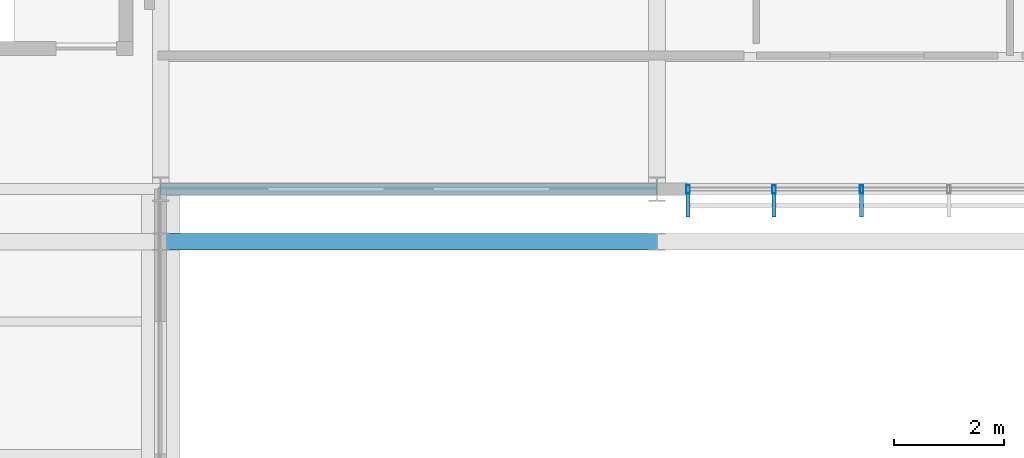
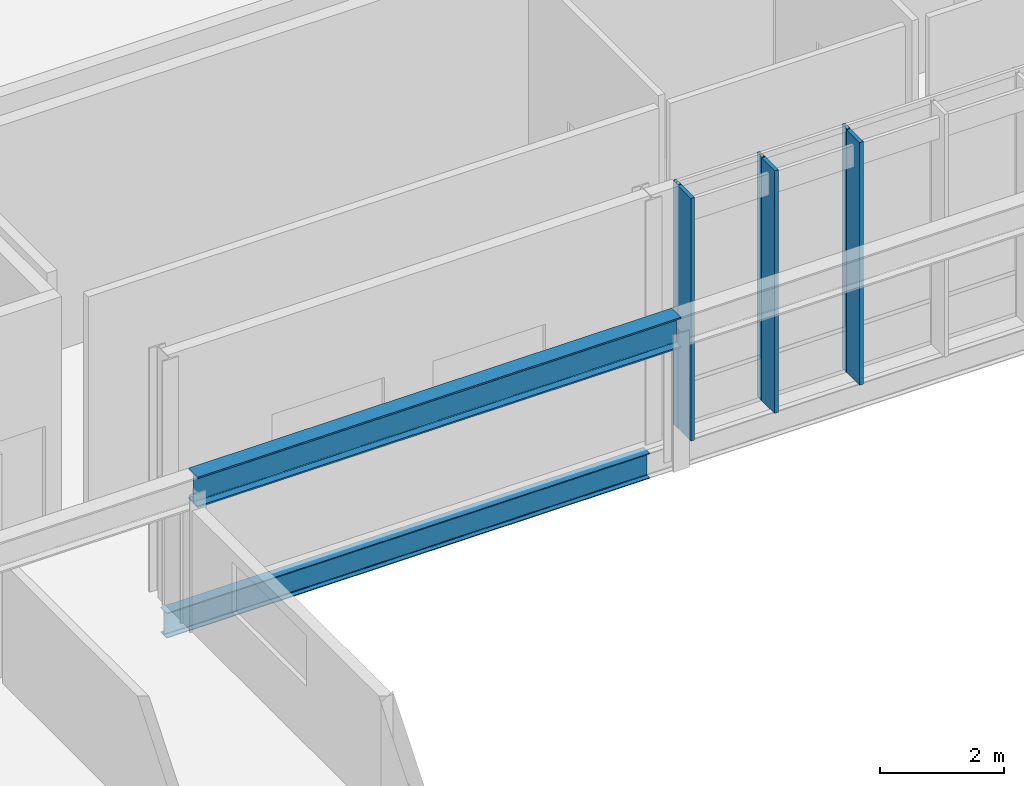
# One storey, part 104 of 177: 6 members, 2 beams, 1 element without a shape of its own.
"""IFC4 building model written with IfcOpenShell, lengths in metres."""

from ifc_helpers import new_model, si_unit, direction, frame, origin, origin_2d, place, context, subcontext, project, spatial, rectangle, hollow_rectangle, i_section, extrude, material, material_profile, profile_set, type_object, element, aggregate, save


model = new_model("IFC4")

# Units and contexts
model_context = context("Model", 3, precision=1e-05, world=origin(), true_north=direction((0.0, 1.0)))
body_context = subcontext(model_context, "Body", "Model", "MODEL_VIEW")
ifc_project = project(units=[si_unit("LENGTHUNIT", "METRE"), si_unit("AREAUNIT", "SQUARE_METRE"), si_unit("VOLUMEUNIT", "CUBIC_METRE"), si_unit("PLANEANGLEUNIT", "RADIAN"), si_unit("MASSUNIT", "GRAM", prefix="KILO")], contexts=[model_context])

# Site, building, storey
site_placement = place(None, origin())
site = spatial("IfcSite", under=ifc_project, at=site_placement, CompositionType="ELEMENT")
building_placement = place(site_placement, origin())
building = spatial("IfcBuilding", under=site, at=building_placement, Name="Chiffa Square Polytechnic", CompositionType="ELEMENT")
storey_placement = place(building_placement, frame((0.0, 0.0, 4.800048828125)))
storey = spatial("IfcBuildingStorey", under=building, at=storey_placement, Name="L01", CompositionType="ELEMENT", Elevation=4.800048828125)

# Beams
ifc_material_1 = material(Name="Steel S355", Category="steel")
ifc_material_profile_1 = material_profile(ifc_material_1, i_section(OverallWidth=0.199951171875, OverallDepth=0.5, WebThickness=0.01025390625, FlangeThickness=0.01611328125, FilletRadius=0.02099609375, at=origin_2d()), Name="IPE 500")
ifc_profile_set_1 = profile_set([ifc_material_profile_1], Name="Steel S355")
beam_type_1 = type_object("IfcBeamType", Name="BM-STL-IPE500", PredefinedType="BEAM", material=ifc_profile_set_1)
beam_1_placement = place(storey_placement, frame((130.199951171875, 87.0, -0.530029296875), z_axis=(1.0, 0.0, 0.0), x_axis=(0.0, 1.0, 0.0)))
element("IfcBeam", 1, at=beam_1_placement, inside=storey, type_object=beam_type_1, Name="Primary floor girder BM-V2-L01-X-1302-0870", PredefinedType="BEAM", context=body_context, shape_type="SweptSolid", body=[
    extrude(i_section(OverallWidth=0.199951171875, OverallDepth=0.5, WebThickness=0.01025390625, FlangeThickness=0.01611328125, FilletRadius=0.02099609375, at=origin_2d()), origin(), (0.0, 0.0, 1.0), 9.0),
])
ifc_material_profile_2 = material_profile(ifc_material_1, i_section(OverallWidth=0.300048828125, OverallDepth=0.60009765625, WebThickness=0.015380859375, FlangeThickness=0.030029296875, FilletRadius=0.027099609375, at=origin_2d()), Name="HEB 600")
ifc_profile_set_2 = profile_set([ifc_material_profile_2], Name="Steel S355")
beam_type_2 = type_object("IfcBeamType", Name="CG-STL-HEB600", PredefinedType="USERDEFINED", material=ifc_profile_set_2)
beam_2_placement = place(storey_placement, frame((130.199951171875, 86.050048828125, 2.699951171875), z_axis=(1.0, 0.0, 0.0), x_axis=(0.0, 1.0, 0.0)))
element("IfcBeam", 2, at=beam_2_placement, inside=storey, type_object=beam_type_2, Name="Bridge crane runway girder CG-V2-L01-N03", ObjectType="CRANE GIRDER", PredefinedType="USERDEFINED", context=body_context, shape_type="SweptSolid", body=[
    extrude(i_section(OverallWidth=0.300048828125, OverallDepth=0.60009765625, WebThickness=0.015380859375, FlangeThickness=0.030029296875, FilletRadius=0.027099609375, at=origin_2d()), origin(), (0.0, 0.0, 1.0), 9.0),
])

# Curtain wall, members
ifc_material_2 = material(Name="Aluminium EN AW-6060 T66 and glulam shading", Category="wood")
curtain_wall_type = type_object("IfcCurtainWallType", Name="CW-VERT-600X380", PredefinedType="USERDEFINED", material=ifc_material_2)
curtain_wall_placement = place(storey_placement, origin())
curtain_wall = element("IfcCurtainWall", 3, at=curtain_wall_placement, inside=storey, type_object=curtain_wall_type, Name="Curtain wall CW-V2-L01-148", ObjectType="CURTAIN WALL", PredefinedType="USERDEFINED")
ifc_material_3 = material(Name="Aluminium EN AW-6060 T66", Category="aluminium")
ifc_material_profile_3 = material_profile(ifc_material_3, hollow_rectangle(XDim=0.06005859375, YDim=0.159912109375, WallThickness=0.00390625, at=origin_2d()), Name="ALU 60x160x4")
ifc_profile_set_3 = profile_set([ifc_material_profile_3], Name="Aluminium EN AW-6060 T66")
member_type_1 = type_object("IfcMemberType", Name="CWM-ALU-65X150", PredefinedType="MULLION", material=ifc_profile_set_3)
member_1_placement = place(storey_placement, frame((139.764892578125, 87.0, 0.0), z_axis=(0.0, 0.0, 1.0), x_axis=(1.0, 0.0, 0.0)))
member_1 = element("IfcMember", 4, at=member_1_placement, type_object=member_type_1, Name="Curtain wall mullion CW-V2-L01-148-M00", PredefinedType="MULLION", context=body_context, shape_type="SweptSolid", body=[
    extrude(hollow_rectangle(XDim=0.06005859375, YDim=0.159912109375, WallThickness=0.00390625, at=origin_2d()), origin(), (0.0, 0.0, 1.0), 4.800048828125),
])
member_2_placement = place(storey_placement, frame((141.323974609375, 87.0, 0.0), z_axis=(0.0, 0.0, 1.0), x_axis=(1.0, 0.0, 0.0)))
member_2 = element("IfcMember", 5, at=member_2_placement, type_object=member_type_1, Name="Curtain wall mullion CW-V2-L01-148-M01", PredefinedType="MULLION", context=body_context, shape_type="SweptSolid", body=[
    extrude(hollow_rectangle(XDim=0.06005859375, YDim=0.159912109375, WallThickness=0.00390625, at=origin_2d()), origin(), (0.0, 0.0, 1.0), 4.800048828125),
])
member_3_placement = place(storey_placement, frame((142.907958984375, 87.0, 0.0), z_axis=(0.0, 0.0, 1.0), x_axis=(1.0, 0.0, 0.0)))
member_3 = element("IfcMember", 6, at=member_3_placement, type_object=member_type_1, Name="Curtain wall mullion CW-V2-L01-148-M02", PredefinedType="MULLION", context=body_context, shape_type="SweptSolid", body=[
    extrude(hollow_rectangle(XDim=0.06005859375, YDim=0.159912109375, WallThickness=0.00390625, at=origin_2d()), origin(), (0.0, 0.0, 1.0), 4.800048828125),
])
ifc_material_4 = material(Name="Glulam GL28h", Category="wood")
ifc_material_profile_4 = material_profile(ifc_material_4, rectangle(XDim=0.070068359375, YDim=0.419921875, at=origin_2d()), Name="GL28h 70x420")
ifc_profile_set_4 = profile_set([ifc_material_profile_4], Name="Glulam GL28h")
member_type_2 = type_object("IfcMemberType", Name="CWM-GL-70X420", PredefinedType="MULLION", material=ifc_profile_set_4)
member_4_placement = place(storey_placement, frame((139.764892578125, 86.7080078125, 0.010009765625), z_axis=(0.0, 0.0, 1.0), x_axis=(1.0, 0.0, 0.0)))
member_4 = element("IfcMember", 7, at=member_4_placement, type_object=member_type_2, Name="Exterior glulam solar fin CW-V2-L01-148-FN00", PredefinedType="MULLION", context=body_context, shape_type="SweptSolid", body=[
    extrude(rectangle(XDim=0.070068359375, YDim=0.419921875, at=origin_2d()), origin(), (0.0, 0.0, 1.0), 4.780029296875),
])
member_5_placement = place(storey_placement, frame((141.323974609375, 86.7080078125, 0.010009765625), z_axis=(0.0, 0.0, 1.0), x_axis=(1.0, 0.0, 0.0)))
member_5 = element("IfcMember", 8, at=member_5_placement, type_object=member_type_2, Name="Exterior glulam solar fin CW-V2-L01-148-FN01", PredefinedType="MULLION", context=body_context, shape_type="SweptSolid", body=[
    extrude(rectangle(XDim=0.070068359375, YDim=0.419921875, at=origin_2d()), origin(), (0.0, 0.0, 1.0), 4.780029296875),
])
member_6_placement = place(storey_placement, frame((142.907958984375, 86.7080078125, 0.010009765625), z_axis=(0.0, 0.0, 1.0), x_axis=(1.0, 0.0, 0.0)))
member_6 = element("IfcMember", 9, at=member_6_placement, type_object=member_type_2, Name="Exterior glulam solar fin CW-V2-L01-148-FN02", PredefinedType="MULLION", context=body_context, shape_type="SweptSolid", body=[
    extrude(rectangle(XDim=0.070068359375, YDim=0.419921875, at=origin_2d()), origin(), (0.0, 0.0, 1.0), 4.780029296875),
])
aggregate(curtain_wall, [member_1, member_4, member_2, member_5, member_3, member_6])

save(model, "model.ifc")
